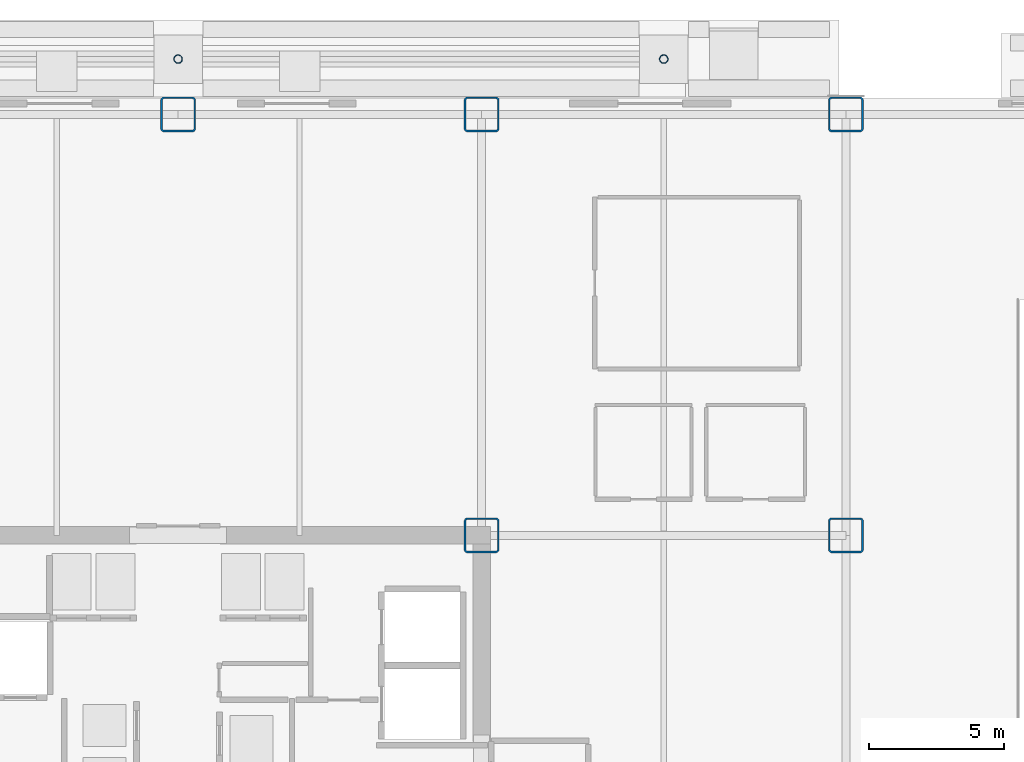
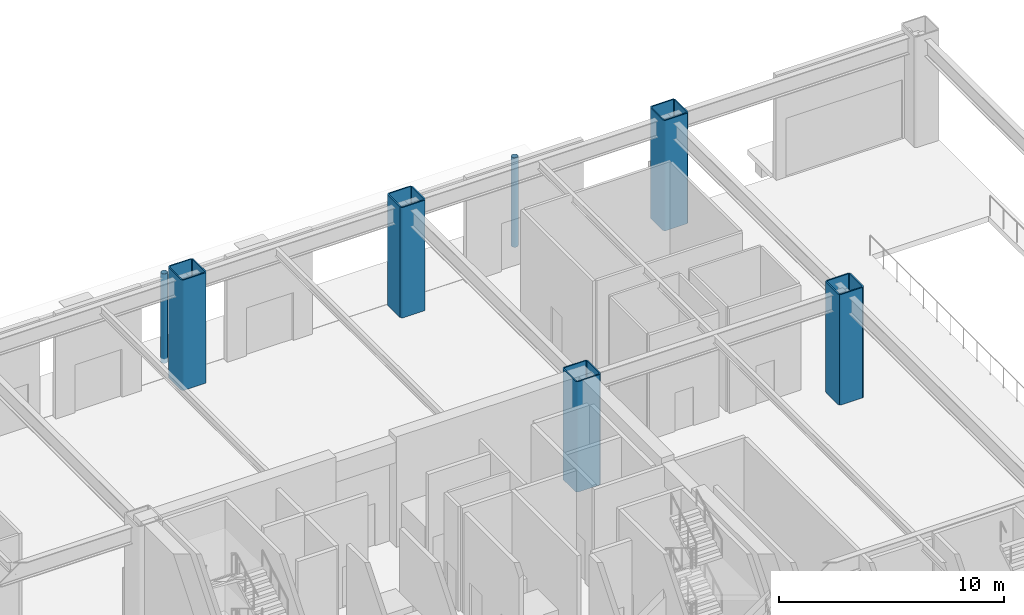
# One storey, part 5 of 17: 7 columns.
"""IFC4 building model written with IfcOpenShell, lengths in metres."""

from ifc_helpers import new_model, si_unit, direction, frame, origin, origin_2d, place, context, subcontext, project, spatial, hollow_rectangle, hollow_circle, extrude, source, transform, mapped, material, material_profile, profile_set, type_object, element, save


model = new_model("IFC4")

# Units and contexts
model_context = context("Model", 3, precision=1e-05, world=origin(), true_north=direction((0.0, 1.0)))
body_context = subcontext(model_context, "Body", "Model", "MODEL_VIEW")
ifc_project = project(units=[si_unit("LENGTHUNIT", "METRE"), si_unit("AREAUNIT", "SQUARE_METRE"), si_unit("VOLUMEUNIT", "CUBIC_METRE"), si_unit("PLANEANGLEUNIT", "RADIAN"), si_unit("MASSUNIT", "GRAM", prefix="KILO")], contexts=[model_context])

# Site, building, storey
site_placement = place(None, origin())
site = spatial("IfcSite", under=ifc_project, at=site_placement, CompositionType="ELEMENT")
building_placement = place(site_placement, origin())
building = spatial("IfcBuilding", under=site, at=building_placement, Name="Nefas-Gora Pilgrimage Tower", CompositionType="ELEMENT")
storey_placement = place(building_placement, origin())
storey = spatial("IfcBuildingStorey", under=building, at=storey_placement, Name="L00", CompositionType="ELEMENT", Elevation=0.0)

# Columns
ifc_material_1 = material(Name="Steel S355", Category="steel")
ifc_material_profile_1 = material_profile(ifc_material_1, hollow_circle(Radius=0.161865234375, WallThickness=0.02001953125, at=origin_2d()), Name="CHS 323.9x20")
ifc_profile_set_1 = profile_set([ifc_material_profile_1], Name="Steel S355")
column_type_1 = type_object("IfcColumnType", Name="COL-CAN-324", PredefinedType="COLUMN", material=ifc_profile_set_1)
shared_shape_1 = source(origin(), body_context, "Body", "SweptSolid", [
    extrude(hollow_circle(Radius=0.161865234375, WallThickness=0.02001953125, at=origin_2d()), origin(), (0.0, 0.0, 1.0), 4.85009765625),
])
for number, where, z_axis, x_axis, name in (
    (1, (0.0, 26.64990234375, -0.25), (0.0, 0.0, 1.0), (1.0, 0.0, 0.0), "Arrival Canopy Column CC-01.2"),
    (2, (18.0, 26.64990234375, -0.25), (0.0, 0.0, 1.0), (1.0, 0.0, 0.0), "Arrival Canopy Column CC-01.3"),
):
    element("IfcColumn", number, at=place(storey_placement, frame(where, z_axis=z_axis, x_axis=x_axis)), inside=storey, type_object=column_type_1, Name=name, PredefinedType="COLUMN", context=body_context, shape_type="MappedRepresentation", body=[
        mapped(shared_shape_1, transform((0.0, 0.0, 0.0), x_axis=(1.0, 0.0, 0.0), y_axis=(0.0, 1.0, 0.0), z_axis=(0.0, 0.0, 1.0), scale=1.0)),
    ])
ifc_material_2 = material(Name="Steel S460", Category="steel")
ifc_material_profile_2 = material_profile(ifc_material_2, hollow_rectangle(XDim=1.300048828125, YDim=1.300048828125, WallThickness=0.06494140625, InnerFilletRadius=0.06494140625, OuterFilletRadius=0.1298828125, at=origin_2d()), Name="BOX 1300x1300x65")
ifc_profile_set_2 = profile_set([ifc_material_profile_2], Name="Steel S460")
column_type_2 = type_object("IfcColumnType", Name="COL-MEGA-1300E", PredefinedType="COLUMN", material=ifc_profile_set_2)
shared_shape_2 = source(origin(), body_context, "Body", "SweptSolid", [
    extrude(hollow_rectangle(XDim=1.300048828125, YDim=1.300048828125, WallThickness=0.06494140625, InnerFilletRadius=0.06494140625, OuterFilletRadius=0.1298828125, at=origin_2d()), origin(), (0.0, 0.0, 1.0), 6.0),
])
for number, where, z_axis, x_axis, name in (
    (3, (0.0, 24.60009765625, 0.0), (0.0, 0.0, 1.0), (1.0, 0.0, 0.0), "L00 Mega-Column MC-01E.15"),
    (4, (11.25, 9.0, 0.0), (0.0, 0.0, 1.0), (1.0, 0.0, 0.0), "L00 Mega-Column MC-01E.18"),
    (5, (11.25, 24.60009765625, 0.0), (0.0, 0.0, 1.0), (1.0, 0.0, 0.0), "L00 Mega-Column MC-01E.19"),
    (6, (24.75, 9.0, 0.0), (0.0, 0.0, 1.0), (1.0, 0.0, 0.0), "L00 Mega-Column MC-01E.22"),
    (7, (24.75, 24.60009765625, 0.0), (0.0, 0.0, 1.0), (1.0, 0.0, 0.0), "L00 Mega-Column MC-01E.23"),
):
    element("IfcColumn", number, at=place(storey_placement, frame(where, z_axis=z_axis, x_axis=x_axis)), inside=storey, type_object=column_type_2, Name=name, PredefinedType="COLUMN", context=body_context, shape_type="MappedRepresentation", body=[
        mapped(shared_shape_2, transform((0.0, 0.0, 0.0), x_axis=(1.0, 0.0, 0.0), y_axis=(0.0, 1.0, 0.0), z_axis=(0.0, 0.0, 1.0), scale=1.0)),
    ])

save(model, "model.ifc")
